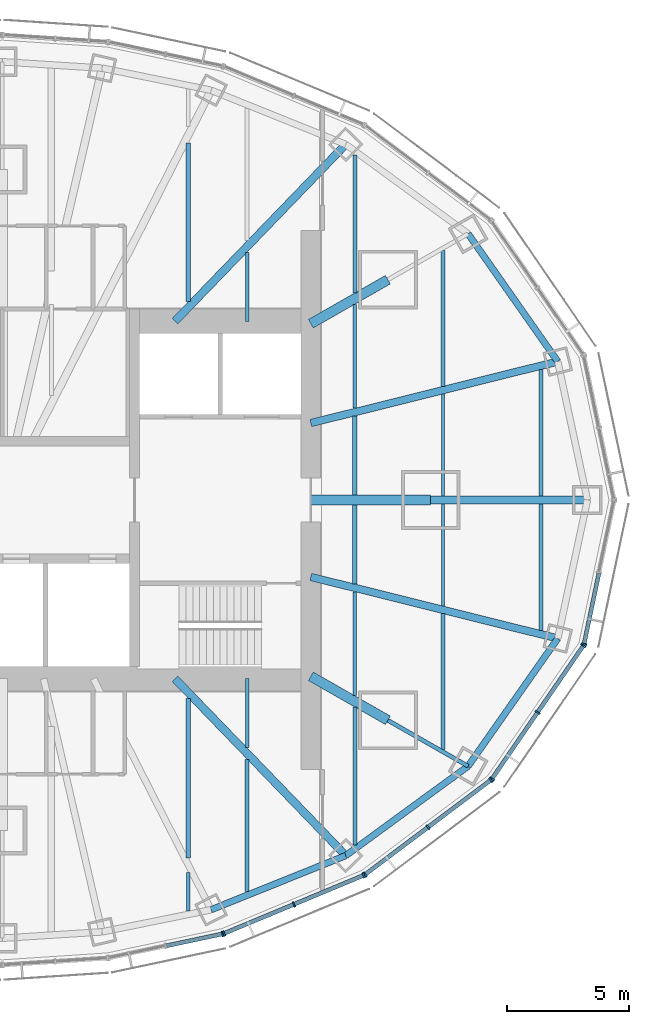
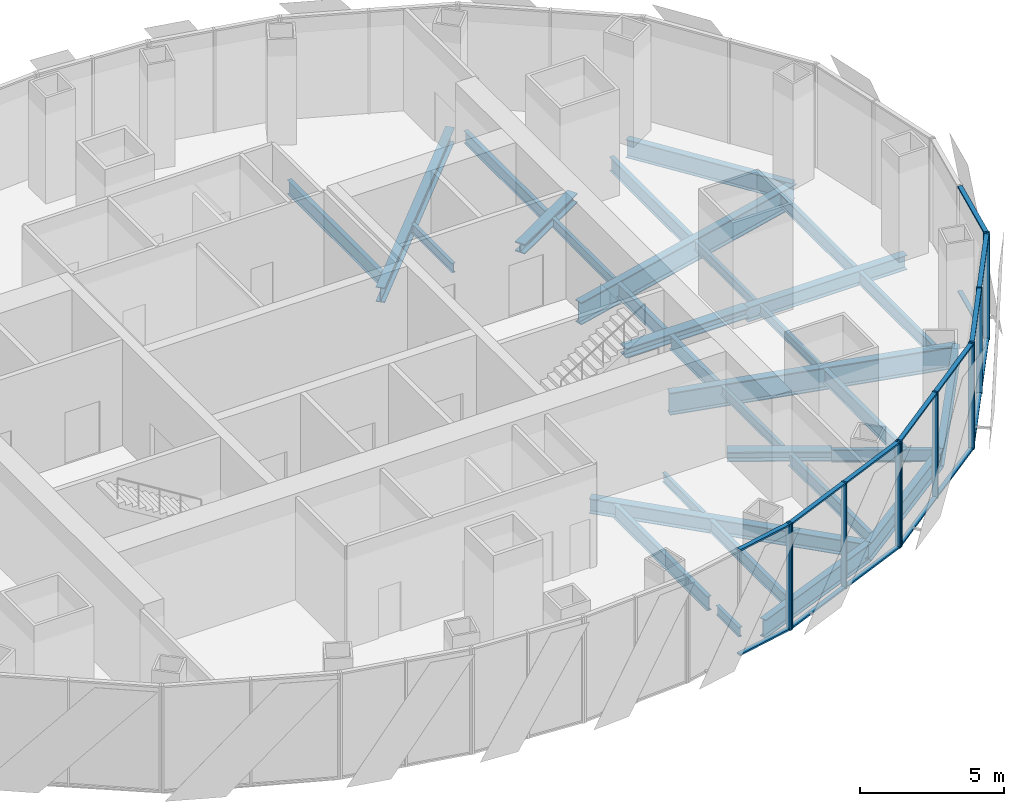
# One storey, part 5 of 15: 31 beams, 27 members, 5 elements without a shape of their own.
"""IFC4 building model written with IfcOpenShell, lengths in metres."""

from ifc_helpers import new_model, si_unit, direction, frame, origin, origin_2d, place, context, subcontext, project, spatial, rectangle, i_section, extrude, material, material_profile, profile_set, type_object, element, aggregate, save


model = new_model("IFC4")

# Units and contexts
model_context = context("Model", 3, precision=1e-05, world=origin(), true_north=direction((0.0, 1.0)))
body_context = subcontext(model_context, "Body", "Model", "MODEL_VIEW")
ifc_project = project(units=[si_unit("LENGTHUNIT", "METRE"), si_unit("AREAUNIT", "SQUARE_METRE"), si_unit("VOLUMEUNIT", "CUBIC_METRE"), si_unit("PLANEANGLEUNIT", "RADIAN"), si_unit("MASSUNIT", "GRAM", prefix="KILO")], contexts=[model_context])

# Site, building, storey
site_placement = place(None, origin())
site = spatial("IfcSite", under=ifc_project, at=site_placement, CompositionType="ELEMENT")
building_placement = place(site_placement, origin())
building = spatial("IfcBuilding", under=site, at=building_placement, Name="Lantaw Convention Tower", CompositionType="ELEMENT")
storey_placement = place(building_placement, frame((0.0, 0.0, 274.89990234375)))
storey = spatial("IfcBuildingStorey", under=building, at=storey_placement, Name="L64", CompositionType="ELEMENT", Elevation=274.89990234375)

# Beams
ifc_material_1 = material(Name="Steel ASTM A992", Category="steel")
ifc_material_profile_1 = material_profile(ifc_material_1, i_section(OverallWidth=0.2666015625, OverallDepth=0.76953125, WebThickness=0.015625, FlangeThickness=0.025390625, FilletRadius=0.0126953125, at=origin_2d()), Name="W30X132")
ifc_profile_set_1 = profile_set([ifc_material_profile_1], Name="Steel ASTM A992")
beam_type_1 = type_object("IfcBeamType", Name="Beam E W30X132", PredefinedType="SPANDREL", material=ifc_profile_set_1)
beam_1_placement = place(storey_placement, frame((22.68701171875, 5.656494140625, -0.53466796875), z_axis=(-0.574400527612, 0.81857439117, 0.0), x_axis=(-0.81857439117, -0.574400527612, 0.0)))
element("IfcBeam", 1, at=beam_1_placement, inside=storey, type_object=beam_type_1, Name="Edge beam 2", PredefinedType="SPANDREL", context=body_context, shape_type="SweptSolid", body=[
    extrude(i_section(OverallWidth=0.2666015625, OverallDepth=0.76953125, WebThickness=0.015625, FlangeThickness=0.025390625, FilletRadius=0.0126953125, at=origin_2d()), origin(), (0.0, 0.0, 1.0), 6.3720703125),
])
beam_2_placement = place(storey_placement, frame((8.5283203125, -16.73779296875, -0.53466796875), z_axis=(0.927779110974, 0.373129898615, 0.0), x_axis=(-0.373129898615, 0.927779110974, 0.0)))
element("IfcBeam", 2, at=beam_2_placement, inside=storey, type_object=beam_type_1, Name="Edge beam 21", PredefinedType="SPANDREL", context=body_context, shape_type="SweptSolid", body=[
    extrude(i_section(OverallWidth=0.2666015625, OverallDepth=0.76953125, WebThickness=0.015625, FlangeThickness=0.025390625, FilletRadius=0.0126953125, at=origin_2d()), origin(), (0.0, 0.0, 1.0), 5.92724609375),
])
beam_3_placement = place(storey_placement, frame((14.027587890625, -14.526123046875, -0.53466796875), z_axis=(0.807371616826, 0.59004328006, 0.0), x_axis=(-0.59004328006, 0.807371616826, 0.0)))
element("IfcBeam", 3, at=beam_3_placement, inside=storey, type_object=beam_type_1, Name="Edge beam 22", PredefinedType="SPANDREL", context=body_context, shape_type="SweptSolid", body=[
    extrude(i_section(OverallWidth=0.2666015625, OverallDepth=0.76953125, WebThickness=0.015625, FlangeThickness=0.025390625, FilletRadius=0.0126953125, at=origin_2d()), origin(), (0.0, 0.0, 1.0), 6.192138671875),
])
beam_4_placement = place(storey_placement, frame((19.02685546875, -10.87255859375, -0.53466796875), z_axis=(0.574400527612, 0.81857439117, 0.0), x_axis=(-0.81857439117, 0.574400527612, 0.0)))
element("IfcBeam", 4, at=beam_4_placement, inside=storey, type_object=beam_type_1, Name="Edge beam 23", PredefinedType="SPANDREL", context=body_context, shape_type="SweptSolid", body=[
    extrude(i_section(OverallWidth=0.2666015625, OverallDepth=0.76953125, WebThickness=0.015625, FlangeThickness=0.025390625, FilletRadius=0.0126953125, at=origin_2d()), origin(), (0.0, 0.0, 1.0), 6.3720703125),
])
ifc_material_profile_2 = material_profile(ifc_material_1, i_section(OverallWidth=0.1650390625, OverallDepth=0.52587890625, WebThickness=0.0087890625, FlangeThickness=0.011474609375, FilletRadius=0.0126953125, at=origin_2d()), Name="W21X44")
ifc_profile_set_2 = profile_set([ifc_material_profile_2], Name="Steel ASTM A992")
beam_type_2 = type_object("IfcBeamType", Name="Beam G W21X44", PredefinedType="BEAM", material=ifc_profile_set_2)
beam_5_placement = place(storey_placement, frame((15.75, -9.0, -0.412841796875), z_axis=(0.868235180478, -0.496152870978, 0.0), x_axis=(0.496152870978, 0.868235180478, 0.0)))
element("IfcBeam", 5, at=beam_5_placement, inside=storey, type_object=beam_type_2, Name="Floor girder on ray 23", PredefinedType="BEAM", context=body_context, shape_type="SweptSolid", body=[
    extrude(i_section(OverallWidth=0.1650390625, OverallDepth=0.52587890625, WebThickness=0.0087890625, FlangeThickness=0.011474609375, FilletRadius=0.0126953125, at=origin_2d()), origin(), (0.0, 0.0, 1.0), 3.774169921875),
])
ifc_material_profile_3 = material_profile(ifc_material_1, i_section(OverallWidth=0.3251953125, OverallDepth=0.612060546875, WebThickness=0.0126953125, FlangeThickness=0.01904296875, FilletRadius=0.0126953125, at=origin_2d()), Name="W24X104")
ifc_profile_set_3 = profile_set([ifc_material_profile_3], Name="Steel ASTM A992")
beam_type_3 = type_object("IfcBeamType", Name="Beam G W24X104", PredefinedType="BEAM", material=ifc_profile_set_3)
beam_6_placement = place(storey_placement, frame((17.5, 0.0, -0.4560546875), z_axis=(1.0, 0.0, 0.0), x_axis=(0.0, 1.0, 0.0)))
element("IfcBeam", 6, at=beam_6_placement, inside=storey, type_object=beam_type_3, Name="Floor girder on ray 1", PredefinedType="BEAM", context=body_context, shape_type="SweptSolid", body=[
    extrude(i_section(OverallWidth=0.3251953125, OverallDepth=0.612060546875, WebThickness=0.0126953125, FlangeThickness=0.01904296875, FilletRadius=0.0126953125, at=origin_2d()), origin(), (0.0, 0.0, 1.0), 6.39990234375),
])
ifc_material_profile_4 = material_profile(ifc_material_1, i_section(OverallWidth=0.32763671875, OverallDepth=0.62744140625, WebThickness=0.0166015625, FlangeThickness=0.027587890625, FilletRadius=0.0126953125, at=origin_2d()), Name="W24X146")
ifc_profile_set_4 = profile_set([ifc_material_profile_4], Name="Steel ASTM A992")
beam_type_4 = type_object("IfcBeamType", Name="Beam G W24X146", PredefinedType="BEAM", material=ifc_profile_set_4)
for number, where, z_axis, x_axis, name in (
    (7, (7.049560546875, 7.300048828125, -0.463623046875), (0.694652631285, 0.71934534255, 0.0), (-0.71934534255, 0.694652631285, 0.0), "Floor girder on ray 4"),
    (8, (7.049560546875, -7.300048828125, -0.463623046875), (0.694652631285, -0.71934534255, 0.0), (0.71934534255, 0.694652631285, 0.0), "Floor girder on ray 22"),
):
    element("IfcBeam", number, at=place(storey_placement, frame(where, z_axis=z_axis, x_axis=x_axis)), inside=storey, type_object=beam_type_4, Name=name, PredefinedType="BEAM", context=body_context, shape_type="SweptSolid", body=[
        extrude(i_section(OverallWidth=0.32763671875, OverallDepth=0.62744140625, WebThickness=0.0166015625, FlangeThickness=0.027587890625, FilletRadius=0.0126953125, at=origin_2d()), origin(), (0.0, 0.0, 1.0), 10.04541015625),
    ])
ifc_material_profile_5 = material_profile(ifc_material_1, i_section(OverallWidth=0.307373046875, OverallDepth=0.9423828125, WebThickness=0.022216796875, FlangeThickness=0.039794921875, FilletRadius=0.0126953125, at=origin_2d()), Name="W36X232")
ifc_profile_set_5 = profile_set([ifc_material_profile_5], Name="Steel ASTM A992")
beam_type_5 = type_object("IfcBeamType", Name="Beam G W36X232", PredefinedType="BEAM", material=ifc_profile_set_5)
for number, where, z_axis, x_axis, name in (
    (9, (12.60009765625, 3.1416015625, -0.62109375), (0.97029702597, 0.241916682751, 0.0), (-0.241916682751, 0.97029702597, 0.0), "Floor girder on ray 2"),
    (10, (12.60009765625, -3.1416015625, -0.62109375), (0.97029702597, -0.241916682751, 0.0), (0.241916682751, 0.97029702597, 0.0), "Floor girder on ray 24"),
):
    element("IfcBeam", number, at=place(storey_placement, frame(where, z_axis=z_axis, x_axis=x_axis)), inside=storey, type_object=beam_type_5, Name=name, PredefinedType="BEAM", context=body_context, shape_type="SweptSolid", body=[
        extrude(i_section(OverallWidth=0.307373046875, OverallDepth=0.9423828125, WebThickness=0.022216796875, FlangeThickness=0.039794921875, FilletRadius=0.0126953125, at=origin_2d()), origin(), (0.0, 0.0, 1.0), 10.395751953125),
    ])
ifc_material_profile_6 = material_profile(ifc_material_1, i_section(OverallWidth=0.40380859375, OverallDepth=0.406494140625, WebThickness=0.027099609375, FlangeThickness=0.043701171875, FilletRadius=0.01513671875, at=origin_2d()), Name="W14X233")
ifc_profile_set_6 = profile_set([ifc_material_profile_6], Name="Steel ASTM A992")
beam_type_6 = type_object("IfcBeamType", Name="Beam GM W14X233", PredefinedType="BEAM", material=ifc_profile_set_6)
beam_7_placement = place(storey_placement, frame((12.60009765625, 0.0, -0.35302734375), z_axis=(1.0, 0.0, 0.0), x_axis=(0.0, 1.0, 0.0)))
element("IfcBeam", 11, at=beam_7_placement, inside=storey, type_object=beam_type_6, Name="Core link beam on ray 1", PredefinedType="BEAM", context=body_context, shape_type="SweptSolid", body=[
    extrude(i_section(OverallWidth=0.40380859375, OverallDepth=0.406494140625, WebThickness=0.027099609375, FlangeThickness=0.043701171875, FilletRadius=0.01513671875, at=origin_2d()), origin(), (0.0, 0.0, 1.0), 4.89990234375),
])
for number, where, z_axis, x_axis, name in (
    (12, (12.60009765625, 7.199951171875, -0.35302734375), (0.868230718294, 0.496160679428, 0.0), (-0.496160679428, 0.868230718294, 0.0), "Core link beam on ray 3"),
    (13, (12.60009765625, -7.199951171875, -0.35302734375), (0.868230718294, -0.496160679428, 0.0), (0.496160679428, 0.868230718294, 0.0), "Core link beam on ray 23"),
):
    element("IfcBeam", number, at=place(storey_placement, frame(where, z_axis=z_axis, x_axis=x_axis)), inside=storey, type_object=beam_type_6, Name=name, PredefinedType="BEAM", context=body_context, shape_type="SweptSolid", body=[
        extrude(i_section(OverallWidth=0.40380859375, OverallDepth=0.406494140625, WebThickness=0.027099609375, FlangeThickness=0.043701171875, FilletRadius=0.01513671875, at=origin_2d()), origin(), (0.0, 0.0, 1.0), 3.6279296875),
    ])
ifc_material_profile_7 = material_profile(ifc_material_1, i_section(OverallWidth=0.140380859375, OverallDepth=0.40380859375, WebThickness=0.007080078125, FlangeThickness=0.01123046875, FilletRadius=0.01025390625, at=origin_2d()), Name="W16X31")
ifc_profile_set_7 = profile_set([ifc_material_profile_7], Name="Steel ASTM A992")
beam_type_7 = type_object("IfcBeamType", Name="Beam J W16X31", PredefinedType="JOIST", material=ifc_profile_set_7)
beam_8_placement = place(storey_placement, frame((7.60009765625, -16.790283203125, -0.351806640625), z_axis=(0.0, 1.0, 0.0), x_axis=(-1.0, 0.0, 0.0)))
element("IfcBeam", 14, at=beam_8_placement, inside=storey, type_object=beam_type_7, Name="Floor joist", PredefinedType="JOIST", context=body_context, shape_type="SweptSolid", body=[
    extrude(i_section(OverallWidth=0.140380859375, OverallDepth=0.40380859375, WebThickness=0.007080078125, FlangeThickness=0.01123046875, FilletRadius=0.01025390625, at=origin_2d()), origin(), (0.0, 0.0, 1.0), 1.580810546875),
])
for number, where, z_axis, x_axis, name in (
    (15, (10.0, -10.119384765625, -0.351806640625), (0.0, 1.0, 0.0), (-1.0, 0.0, 0.0), "Floor joist"),
    (16, (10.0, 7.300048828125, -0.351806640625), (0.0, 1.0, 0.0), (-1.0, 0.0, 0.0), "Floor joist"),
):
    element("IfcBeam", number, at=place(storey_placement, frame(where, z_axis=z_axis, x_axis=x_axis)), inside=storey, type_object=beam_type_7, Name=name, PredefinedType="JOIST", context=body_context, shape_type="SweptSolid", body=[
        extrude(i_section(OverallWidth=0.140380859375, OverallDepth=0.40380859375, WebThickness=0.007080078125, FlangeThickness=0.01123046875, FilletRadius=0.01025390625, at=origin_2d()), origin(), (0.0, 0.0, 1.0), 2.8193359375),
    ])
for number, where, z_axis, x_axis, name in (
    (17, (14.39990234375, -7.99609375, -0.351806640625), (0.0, 1.0, 0.0), (-1.0, 0.0, 0.0), "Floor joist"),
    (18, (14.39990234375, 3.748779296875, -0.351806640625), (0.0, 1.0, 0.0), (-1.0, 0.0, 0.0), "Floor joist"),
):
    element("IfcBeam", number, at=place(storey_placement, frame(where, z_axis=z_axis, x_axis=x_axis)), inside=storey, type_object=beam_type_7, Name=name, PredefinedType="JOIST", context=body_context, shape_type="SweptSolid", body=[
        extrude(i_section(OverallWidth=0.140380859375, OverallDepth=0.40380859375, WebThickness=0.007080078125, FlangeThickness=0.01123046875, FilletRadius=0.01025390625, at=origin_2d()), origin(), (0.0, 0.0, 1.0), 4.247314453125),
    ])
for number, where, z_axis, x_axis, name in (
    (19, (18.0, -4.32958984375, -0.351806640625), (0.0, 1.0, 0.0), (-1.0, 0.0, 0.0), "Floor joist"),
    (20, (18.0, 0.16259765625, -0.351806640625), (0.0, 1.0, 0.0), (-1.0, 0.0, 0.0), "Floor joist"),
):
    element("IfcBeam", number, at=place(storey_placement, frame(where, z_axis=z_axis, x_axis=x_axis)), inside=storey, type_object=beam_type_7, Name=name, PredefinedType="JOIST", context=body_context, shape_type="SweptSolid", body=[
        extrude(i_section(OverallWidth=0.140380859375, OverallDepth=0.40380859375, WebThickness=0.007080078125, FlangeThickness=0.01123046875, FilletRadius=0.01025390625, at=origin_2d()), origin(), (0.0, 0.0, 1.0), 4.1669921875),
    ])
ifc_material_profile_8 = material_profile(ifc_material_1, i_section(OverallWidth=0.1650390625, OverallDepth=0.52587890625, WebThickness=0.0087890625, FlangeThickness=0.011474609375, FilletRadius=0.0126953125, at=origin_2d()), Name="W21X44")
ifc_profile_set_8 = profile_set([ifc_material_profile_8], Name="Steel ASTM A992")
beam_type_8 = type_object("IfcBeamType", Name="Beam J W21X44", PredefinedType="JOIST", material=ifc_profile_set_8)
beam_9_placement = place(storey_placement, frame((10.0, -16.002197265625, -0.412841796875), z_axis=(0.0, 1.0, 0.0), x_axis=(-1.0, 0.0, 0.0)))
element("IfcBeam", 21, at=beam_9_placement, inside=storey, type_object=beam_type_8, Name="Floor joist", PredefinedType="JOIST", context=body_context, shape_type="SweptSolid", body=[
    extrude(i_section(OverallWidth=0.1650390625, OverallDepth=0.52587890625, WebThickness=0.0087890625, FlangeThickness=0.011474609375, FilletRadius=0.0126953125, at=origin_2d()), origin(), (0.0, 0.0, 1.0), 5.4111328125),
])
for number, where, z_axis, x_axis, name in (
    (22, (14.39990234375, -14.0888671875, -0.412841796875), (0.0, 1.0, 0.0), (-1.0, 0.0, 0.0), "Floor joist"),
    (23, (14.39990234375, 8.461181640625, -0.412841796875), (0.0, 1.0, 0.0), (-1.0, 0.0, 0.0), "Floor joist"),
):
    element("IfcBeam", number, at=place(storey_placement, frame(where, z_axis=z_axis, x_axis=x_axis)), inside=storey, type_object=beam_type_8, Name=name, PredefinedType="JOIST", context=body_context, shape_type="SweptSolid", body=[
        extrude(i_section(OverallWidth=0.1650390625, OverallDepth=0.52587890625, WebThickness=0.0087890625, FlangeThickness=0.011474609375, FilletRadius=0.0126953125, at=origin_2d()), origin(), (0.0, 0.0, 1.0), 5.627685546875),
    ])
for number, where, z_axis, x_axis, name in (
    (24, (22.0, -5.326904296875, -0.412841796875), (0.0, 1.0, 0.0), (-1.0, 0.0, 0.0), "Floor joist"),
    (25, (22.0, 0.16259765625, -0.412841796875), (0.0, 1.0, 0.0), (-1.0, 0.0, 0.0), "Floor joist"),
):
    element("IfcBeam", number, at=place(storey_placement, frame(where, z_axis=z_axis, x_axis=x_axis)), inside=storey, type_object=beam_type_8, Name=name, PredefinedType="JOIST", context=body_context, shape_type="SweptSolid", body=[
        extrude(i_section(OverallWidth=0.1650390625, OverallDepth=0.52587890625, WebThickness=0.0087890625, FlangeThickness=0.011474609375, FilletRadius=0.0126953125, at=origin_2d()), origin(), (0.0, 0.0, 1.0), 5.164306640625),
    ])
ifc_material_profile_9 = material_profile(ifc_material_1, i_section(OverallWidth=0.177978515625, OverallDepth=0.599365234375, WebThickness=0.010009765625, FlangeThickness=0.012939453125, FilletRadius=0.012939453125, at=origin_2d()), Name="W24X55")
ifc_profile_set_9 = profile_set([ifc_material_profile_9], Name="Steel ASTM A992")
beam_type_9 = type_object("IfcBeamType", Name="Beam J W24X55", PredefinedType="JOIST", material=ifc_profile_set_9)
beam_10_placement = place(storey_placement, frame((7.60009765625, -14.6220703125, -0.44970703125), z_axis=(0.0, 1.0, 0.0), x_axis=(-1.0, 0.0, 0.0)))
element("IfcBeam", 26, at=beam_10_placement, inside=storey, type_object=beam_type_9, Name="Floor joist", PredefinedType="JOIST", context=body_context, shape_type="SweptSolid", body=[
    extrude(i_section(OverallWidth=0.177978515625, OverallDepth=0.599365234375, WebThickness=0.010009765625, FlangeThickness=0.012939453125, FilletRadius=0.012939453125, at=origin_2d()), origin(), (0.0, 0.0, 1.0), 6.51611328125),
])
beam_11_placement = place(storey_placement, frame((7.60009765625, 8.10595703125, -0.44970703125), z_axis=(0.0, 1.0, 0.0), x_axis=(-1.0, 0.0, 0.0)))
element("IfcBeam", 27, at=beam_11_placement, inside=storey, type_object=beam_type_9, Name="Floor joist", PredefinedType="JOIST", context=body_context, shape_type="SweptSolid", body=[
    extrude(i_section(OverallWidth=0.177978515625, OverallDepth=0.599365234375, WebThickness=0.010009765625, FlangeThickness=0.012939453125, FilletRadius=0.012939453125, at=origin_2d()), origin(), (0.0, 0.0, 1.0), 6.471435546875),
])
for number, where, z_axis, x_axis, name in (
    (28, (14.39990234375, -3.431884765625, -0.44970703125), (0.0, 1.0, 0.0), (-1.0, 0.0, 0.0), "Floor joist"),
    (29, (14.39990234375, 0.201904296875, -0.44970703125), (0.0, 1.0, 0.0), (-1.0, 0.0, 0.0), "Floor joist"),
):
    element("IfcBeam", number, at=place(storey_placement, frame(where, z_axis=z_axis, x_axis=x_axis)), inside=storey, type_object=beam_type_9, Name=name, PredefinedType="JOIST", context=body_context, shape_type="SweptSolid", body=[
        extrude(i_section(OverallWidth=0.177978515625, OverallDepth=0.599365234375, WebThickness=0.010009765625, FlangeThickness=0.012939453125, FilletRadius=0.012939453125, at=origin_2d()), origin(), (0.0, 0.0, 1.0), 3.22998046875),
    ])
for number, where, z_axis, x_axis, name in (
    (30, (18.0, -10.190673828125, -0.44970703125), (0.0, 1.0, 0.0), (-1.0, 0.0, 0.0), "Floor joist"),
    (31, (18.0, 4.646240234375, -0.44970703125), (0.0, 1.0, 0.0), (-1.0, 0.0, 0.0), "Floor joist"),
):
    element("IfcBeam", number, at=place(storey_placement, frame(where, z_axis=z_axis, x_axis=x_axis)), inside=storey, type_object=beam_type_9, Name=name, PredefinedType="JOIST", context=body_context, shape_type="SweptSolid", body=[
        extrude(i_section(OverallWidth=0.177978515625, OverallDepth=0.599365234375, WebThickness=0.010009765625, FlangeThickness=0.012939453125, FilletRadius=0.012939453125, at=origin_2d()), origin(), (0.0, 0.0, 1.0), 5.54443359375),
    ])

# Curtain wall, member
ifc_material_2 = material(Name="Aluminium framed curtain wall", Category="aluminium")
curtain_wall_type = type_object("IfcCurtainWallType", Name="Executive floors curtain wall, pale aluminium", PredefinedType="USERDEFINED", material=ifc_material_2)
curtain_wall_1_placement = place(storey_placement, origin())
curtain_wall_1 = element("IfcCurtainWall", 32, at=curtain_wall_1_placement, inside=storey, type_object=curtain_wall_type, Name="Executive floors curtain wall, pale aluminium L64", ObjectType="UNITISED CURTAIN WALL", PredefinedType="USERDEFINED")
ifc_material_3 = material(Name="Aluminium 6063-T6", Category="aluminium")
ifc_material_profile_10 = material_profile(ifc_material_3, rectangle(XDim=0.219970703125, YDim=0.070068359375, at=origin_2d()), Name="CW-T mullion 70x220")
ifc_profile_set_10 = profile_set([ifc_material_profile_10], Name="Aluminium 6063-T6")
member_type_1 = type_object("IfcMemberType", Name="CW-T mullion 70x220", PredefinedType="MULLION", material=ifc_profile_set_10)
member_1_placement = place(storey_placement, frame((8.993408203125, -17.72509765625, -0.14990234375), z_axis=(0.0, 0.0, 1.0), x_axis=(-0.207039911975, 0.978332497083, 0.0)))
member_1 = element("IfcMember", 33, at=member_1_placement, type_object=member_type_1, Name="CW-T mullion 3", PredefinedType="MULLION", context=body_context, shape_type="SweptSolid", body=[
    extrude(rectangle(XDim=0.219970703125, YDim=0.070068359375, at=origin_2d()), origin(), (0.0, 0.0, 1.0), 4.5),
])

# Curtain wall, members
curtain_wall_2_placement = place(storey_placement, origin())
curtain_wall_2 = element("IfcCurtainWall", 34, at=curtain_wall_2_placement, inside=storey, type_object=curtain_wall_type, Name="Executive floors curtain wall, pale aluminium L64", ObjectType="UNITISED CURTAIN WALL", PredefinedType="USERDEFINED")
member_2_placement = place(storey_placement, frame((9.06005859375, -17.70458984375, -0.14990234375), z_axis=(0.0, 0.0, 1.0), x_axis=(-0.384459697924, 0.923141777124, 0.0)))
member_2 = element("IfcMember", 35, at=member_2_placement, type_object=member_type_1, Name="CW-T mullion 1", PredefinedType="MULLION", context=body_context, shape_type="SweptSolid", body=[
    extrude(rectangle(XDim=0.219970703125, YDim=0.070068359375, at=origin_2d()), origin(), (0.0, 0.0, 1.0), 4.5),
])
member_3_placement = place(storey_placement, frame((11.90966796875, -16.517578125, -0.14990234375), z_axis=(0.0, 0.0, 1.0), x_axis=(-0.384459697924, 0.923141777124, 0.0)))
member_3 = element("IfcMember", 36, at=member_3_placement, type_object=member_type_1, Name="CW-T mullion 2", PredefinedType="MULLION", context=body_context, shape_type="SweptSolid", body=[
    extrude(rectangle(XDim=0.219970703125, YDim=0.070068359375, at=origin_2d()), origin(), (0.0, 0.0, 1.0), 4.5),
])
member_4_placement = place(storey_placement, frame((14.759521484375, -15.330810546875, -0.14990234375), z_axis=(0.0, 0.0, 1.0), x_axis=(-0.384459697924, 0.923141777124, 0.0)))
member_4 = element("IfcMember", 37, at=member_4_placement, type_object=member_type_1, Name="CW-T mullion 3", PredefinedType="MULLION", context=body_context, shape_type="SweptSolid", body=[
    extrude(rectangle(XDim=0.219970703125, YDim=0.070068359375, at=origin_2d()), origin(), (0.0, 0.0, 1.0), 4.5),
])

curtain_wall_3_placement = place(storey_placement, origin())
curtain_wall_3 = element("IfcCurtainWall", 38, at=curtain_wall_3_placement, inside=storey, type_object=curtain_wall_type, Name="Executive floors curtain wall, pale aluminium L64", ObjectType="UNITISED CURTAIN WALL", PredefinedType="USERDEFINED")
member_5_placement = place(storey_placement, frame((14.81982421875, -15.29638671875, -0.14990234375), z_axis=(0.0, 0.0, 1.0), x_axis=(-0.600642756762, 0.799517528732, 0.0)))
member_5 = element("IfcMember", 39, at=member_5_placement, type_object=member_type_1, Name="CW-T mullion 1", PredefinedType="MULLION", context=body_context, shape_type="SweptSolid", body=[
    extrude(rectangle(XDim=0.219970703125, YDim=0.070068359375, at=origin_2d()), origin(), (0.0, 0.0, 1.0), 4.5),
])
member_6_placement = place(storey_placement, frame((17.386962890625, -13.367919921875, -0.14990234375), z_axis=(0.0, 0.0, 1.0), x_axis=(-0.600642756762, 0.799517528732, 0.0)))
member_6 = element("IfcMember", 40, at=member_6_placement, type_object=member_type_1, Name="CW-T mullion 2", PredefinedType="MULLION", context=body_context, shape_type="SweptSolid", body=[
    extrude(rectangle(XDim=0.219970703125, YDim=0.070068359375, at=origin_2d()), origin(), (0.0, 0.0, 1.0), 4.5),
])
member_7_placement = place(storey_placement, frame((19.953857421875, -11.439208984375, -0.14990234375), z_axis=(0.0, 0.0, 1.0), x_axis=(-0.600642756762, 0.799517528732, 0.0)))
member_7 = element("IfcMember", 41, at=member_7_placement, type_object=member_type_1, Name="CW-T mullion 3", PredefinedType="MULLION", context=body_context, shape_type="SweptSolid", body=[
    extrude(rectangle(XDim=0.219970703125, YDim=0.070068359375, at=origin_2d()), origin(), (0.0, 0.0, 1.0), 4.5),
])

curtain_wall_4_placement = place(storey_placement, origin())
curtain_wall_4 = element("IfcCurtainWall", 42, at=curtain_wall_4_placement, inside=storey, type_object=curtain_wall_type, Name="Executive floors curtain wall, pale aluminium L64", ObjectType="UNITISED CURTAIN WALL", PredefinedType="USERDEFINED")
member_8_placement = place(storey_placement, frame((20.001708984375, -11.389404296875, -0.14990234375), z_axis=(0.0, 0.0, 1.0), x_axis=(-0.824449977189, 0.565934832921, 0.0)))
member_8 = element("IfcMember", 43, at=member_8_placement, type_object=member_type_1, Name="CW-T mullion 1", PredefinedType="MULLION", context=body_context, shape_type="SweptSolid", body=[
    extrude(rectangle(XDim=0.219970703125, YDim=0.070068359375, at=origin_2d()), origin(), (0.0, 0.0, 1.0), 4.5),
])
member_9_placement = place(storey_placement, frame((21.8681640625, -8.67041015625, -0.14990234375), z_axis=(0.0, 0.0, 1.0), x_axis=(-0.824449977189, 0.565934832921, 0.0)))
member_9 = element("IfcMember", 44, at=member_9_placement, type_object=member_type_1, Name="CW-T mullion 2", PredefinedType="MULLION", context=body_context, shape_type="SweptSolid", body=[
    extrude(rectangle(XDim=0.219970703125, YDim=0.070068359375, at=origin_2d()), origin(), (0.0, 0.0, 1.0), 4.5),
])
member_10_placement = place(storey_placement, frame((23.734619140625, -5.951416015625, -0.14990234375), z_axis=(0.0, 0.0, 1.0), x_axis=(-0.824449977189, 0.565934832921, 0.0)))
member_10 = element("IfcMember", 45, at=member_10_placement, type_object=member_type_1, Name="CW-T mullion 3", PredefinedType="MULLION", context=body_context, shape_type="SweptSolid", body=[
    extrude(rectangle(XDim=0.219970703125, YDim=0.070068359375, at=origin_2d()), origin(), (0.0, 0.0, 1.0), 4.5),
])

# Curtain wall, member
curtain_wall_5_placement = place(storey_placement, origin())
curtain_wall_5 = element("IfcCurtainWall", 46, at=curtain_wall_5_placement, inside=storey, type_object=curtain_wall_type, Name="Executive floors curtain wall, pale aluminium L64", ObjectType="UNITISED CURTAIN WALL", PredefinedType="USERDEFINED")
member_11_placement = place(storey_placement, frame((23.761474609375, -5.888427734375, -0.14990234375), z_axis=(0.0, 0.0, 1.0), x_axis=(-0.978591117263, 0.205814054946, 0.0)))
member_11 = element("IfcMember", 47, at=member_11_placement, type_object=member_type_1, Name="CW-T mullion 1", PredefinedType="MULLION", context=body_context, shape_type="SweptSolid", body=[
    extrude(rectangle(XDim=0.219970703125, YDim=0.070068359375, at=origin_2d()), origin(), (0.0, 0.0, 1.0), 4.5),
])

# Member
ifc_material_profile_11 = material_profile(ifc_material_3, rectangle(XDim=0.169921875, YDim=0.070068359375, at=origin_2d()), Name="CW-T transom 70x170")
ifc_profile_set_11 = profile_set([ifc_material_profile_11], Name="Aluminium 6063-T6")
member_type_2 = type_object("IfcMemberType", Name="CW-T transom 70x170", PredefinedType="USERDEFINED", material=ifc_profile_set_11)
member_12_placement = place(storey_placement, frame((6.708251953125, -18.208740234375, -0.114990234375), z_axis=(0.978336479598, 0.207021092375, 0.0), x_axis=(-0.207021092375, 0.978336479598, 0.0)))
member_12 = element("IfcMember", 48, at=member_12_placement, type_object=member_type_2, Name="CW-T transom 2.1", ObjectType="TRANSOM", PredefinedType="USERDEFINED", context=body_context, shape_type="SweptSolid", body=[
    extrude(rectangle(XDim=0.169921875, YDim=0.070068359375, at=origin_2d()), origin(), (0.0, 0.0, 1.0), 2.30078125),
])

member_13_placement = place(storey_placement, frame((6.708251953125, -18.208740234375, 4.315185546875), z_axis=(0.978336479598, 0.207021092375, 0.0), x_axis=(-0.207021092375, 0.978336479598, 0.0)))
member_13 = element("IfcMember", 49, at=member_13_placement, type_object=member_type_2, Name="CW-T transom 2.2", ObjectType="TRANSOM", PredefinedType="USERDEFINED", context=body_context, shape_type="SweptSolid", body=[
    extrude(rectangle(XDim=0.169921875, YDim=0.070068359375, at=origin_2d()), origin(), (0.0, 0.0, 1.0), 2.30078125),
])

aggregate(curtain_wall_1, [member_1, member_12, member_13])

member_14_placement = place(storey_placement, frame((9.09228515625, -17.69091796875, -0.114990234375), z_axis=(0.923143943999, 0.384454494911, 0.0), x_axis=(-0.384454494911, 0.923143943999, 0.0)))
member_14 = element("IfcMember", 50, at=member_14_placement, type_object=member_type_2, Name="CW-T transom 1.1", ObjectType="TRANSOM", PredefinedType="USERDEFINED", context=body_context, shape_type="SweptSolid", body=[
    extrude(rectangle(XDim=0.169921875, YDim=0.070068359375, at=origin_2d()), origin(), (0.0, 0.0, 1.0), 3.01708984375),
])

member_15_placement = place(storey_placement, frame((9.09228515625, -17.69091796875, 4.315185546875), z_axis=(0.923143943999, 0.384454494911, 0.0), x_axis=(-0.384454494911, 0.923143943999, 0.0)))
member_15 = element("IfcMember", 51, at=member_15_placement, type_object=member_type_2, Name="CW-T transom 1.2", ObjectType="TRANSOM", PredefinedType="USERDEFINED", context=body_context, shape_type="SweptSolid", body=[
    extrude(rectangle(XDim=0.169921875, YDim=0.070068359375, at=origin_2d()), origin(), (0.0, 0.0, 1.0), 3.01708984375),
])

member_16_placement = place(storey_placement, frame((11.942138671875, -16.504150390625, -0.114990234375), z_axis=(0.923143943999, 0.384454494911, 0.0), x_axis=(-0.384454494911, 0.923143943999, 0.0)))
member_16 = element("IfcMember", 52, at=member_16_placement, type_object=member_type_2, Name="CW-T transom 2.1", ObjectType="TRANSOM", PredefinedType="USERDEFINED", context=body_context, shape_type="SweptSolid", body=[
    extrude(rectangle(XDim=0.169921875, YDim=0.070068359375, at=origin_2d()), origin(), (0.0, 0.0, 1.0), 3.01708984375),
])

member_17_placement = place(storey_placement, frame((11.942138671875, -16.504150390625, 4.315185546875), z_axis=(0.923143943999, 0.384454494911, 0.0), x_axis=(-0.384454494911, 0.923143943999, 0.0)))
member_17 = element("IfcMember", 53, at=member_17_placement, type_object=member_type_2, Name="CW-T transom 2.2", ObjectType="TRANSOM", PredefinedType="USERDEFINED", context=body_context, shape_type="SweptSolid", body=[
    extrude(rectangle(XDim=0.169921875, YDim=0.070068359375, at=origin_2d()), origin(), (0.0, 0.0, 1.0), 3.01708984375),
])

aggregate(curtain_wall_2, [member_2, member_3, member_4, member_14, member_15, member_16, member_17])

member_18_placement = place(storey_placement, frame((14.847900390625, -15.275390625, -0.114990234375), z_axis=(0.799505333284, 0.600658989819, 0.0), x_axis=(-0.600658989819, 0.799505333284, 0.0)))
member_18 = element("IfcMember", 54, at=member_18_placement, type_object=member_type_2, Name="CW-T transom 1.1", ObjectType="TRANSOM", PredefinedType="USERDEFINED", context=body_context, shape_type="SweptSolid", body=[
    extrude(rectangle(XDim=0.169921875, YDim=0.070068359375, at=origin_2d()), origin(), (0.0, 0.0, 1.0), 3.140625),
])

member_19_placement = place(storey_placement, frame((14.847900390625, -15.275390625, 4.315185546875), z_axis=(0.799505333284, 0.600658989819, 0.0), x_axis=(-0.600658989819, 0.799505333284, 0.0)))
member_19 = element("IfcMember", 55, at=member_19_placement, type_object=member_type_2, Name="CW-T transom 1.2", ObjectType="TRANSOM", PredefinedType="USERDEFINED", context=body_context, shape_type="SweptSolid", body=[
    extrude(rectangle(XDim=0.169921875, YDim=0.070068359375, at=origin_2d()), origin(), (0.0, 0.0, 1.0), 3.140625),
])

member_20_placement = place(storey_placement, frame((17.414794921875, -13.346923828125, -0.114990234375), z_axis=(0.799496049611, 0.600671346626, 0.0), x_axis=(-0.600671346626, 0.799496049611, 0.0)))
member_20 = element("IfcMember", 56, at=member_20_placement, type_object=member_type_2, Name="CW-T transom 2.1", ObjectType="TRANSOM", PredefinedType="USERDEFINED", context=body_context, shape_type="SweptSolid", body=[
    extrude(rectangle(XDim=0.169921875, YDim=0.070068359375, at=origin_2d()), origin(), (0.0, 0.0, 1.0), 3.14111328125),
])

member_21_placement = place(storey_placement, frame((17.414794921875, -13.346923828125, 4.315185546875), z_axis=(0.799496049611, 0.600671346626, 0.0), x_axis=(-0.600671346626, 0.799496049611, 0.0)))
member_21 = element("IfcMember", 57, at=member_21_placement, type_object=member_type_2, Name="CW-T transom 2.2", ObjectType="TRANSOM", PredefinedType="USERDEFINED", context=body_context, shape_type="SweptSolid", body=[
    extrude(rectangle(XDim=0.169921875, YDim=0.070068359375, at=origin_2d()), origin(), (0.0, 0.0, 1.0), 3.14111328125),
])

aggregate(curtain_wall_3, [member_5, member_6, member_7, member_18, member_19, member_20, member_21])

member_22_placement = place(storey_placement, frame((20.021484375, -11.360595703125, -0.114990234375), z_axis=(0.56594129057, 0.824445544368, 0.0), x_axis=(-0.824445544368, 0.56594129057, 0.0)))
member_22 = element("IfcMember", 58, at=member_22_placement, type_object=member_type_2, Name="CW-T transom 1.1", ObjectType="TRANSOM", PredefinedType="USERDEFINED", context=body_context, shape_type="SweptSolid", body=[
    extrude(rectangle(XDim=0.169921875, YDim=0.070068359375, at=origin_2d()), origin(), (0.0, 0.0, 1.0), 3.22802734375),
])

member_23_placement = place(storey_placement, frame((20.021484375, -11.360595703125, 4.315185546875), z_axis=(0.56594129057, 0.824445544368, 0.0), x_axis=(-0.824445544368, 0.56594129057, 0.0)))
member_23 = element("IfcMember", 59, at=member_23_placement, type_object=member_type_2, Name="CW-T transom 1.2", ObjectType="TRANSOM", PredefinedType="USERDEFINED", context=body_context, shape_type="SweptSolid", body=[
    extrude(rectangle(XDim=0.169921875, YDim=0.070068359375, at=origin_2d()), origin(), (0.0, 0.0, 1.0), 3.22802734375),
])

member_24_placement = place(storey_placement, frame((21.887939453125, -8.6416015625, -0.114990234375), z_axis=(0.56594129057, 0.824445544368, 0.0), x_axis=(-0.824445544368, 0.56594129057, 0.0)))
member_24 = element("IfcMember", 60, at=member_24_placement, type_object=member_type_2, Name="CW-T transom 2.1", ObjectType="TRANSOM", PredefinedType="USERDEFINED", context=body_context, shape_type="SweptSolid", body=[
    extrude(rectangle(XDim=0.169921875, YDim=0.070068359375, at=origin_2d()), origin(), (0.0, 0.0, 1.0), 3.22802734375),
])

member_25_placement = place(storey_placement, frame((21.887939453125, -8.6416015625, 4.315185546875), z_axis=(0.56594129057, 0.824445544368, 0.0), x_axis=(-0.824445544368, 0.56594129057, 0.0)))
member_25 = element("IfcMember", 61, at=member_25_placement, type_object=member_type_2, Name="CW-T transom 2.2", ObjectType="TRANSOM", PredefinedType="USERDEFINED", context=body_context, shape_type="SweptSolid", body=[
    extrude(rectangle(XDim=0.169921875, YDim=0.070068359375, at=origin_2d()), origin(), (0.0, 0.0, 1.0), 3.22802734375),
])

aggregate(curtain_wall_4, [member_8, member_9, member_10, member_22, member_23, member_24, member_25])

member_26_placement = place(storey_placement, frame((23.768798828125, -5.854248046875, -0.114990234375), z_axis=(0.205766173106, 0.978601186391, 0.0), x_axis=(-0.978601186391, 0.205766173106, 0.0)))
member_26 = element("IfcMember", 62, at=member_26_placement, type_object=member_type_2, Name="CW-T transom 1.1", ObjectType="TRANSOM", PredefinedType="USERDEFINED", context=body_context, shape_type="SweptSolid", body=[
    extrude(rectangle(XDim=0.169921875, YDim=0.070068359375, at=origin_2d()), origin(), (0.0, 0.0, 1.0), 2.921142578125),
])

member_27_placement = place(storey_placement, frame((23.768798828125, -5.854248046875, 4.315185546875), z_axis=(0.205766173106, 0.978601186391, 0.0), x_axis=(-0.978601186391, 0.205766173106, 0.0)))
member_27 = element("IfcMember", 63, at=member_27_placement, type_object=member_type_2, Name="CW-T transom 1.2", ObjectType="TRANSOM", PredefinedType="USERDEFINED", context=body_context, shape_type="SweptSolid", body=[
    extrude(rectangle(XDim=0.169921875, YDim=0.070068359375, at=origin_2d()), origin(), (0.0, 0.0, 1.0), 2.921142578125),
])

aggregate(curtain_wall_5, [member_11, member_26, member_27])

save(model, "model.ifc")
